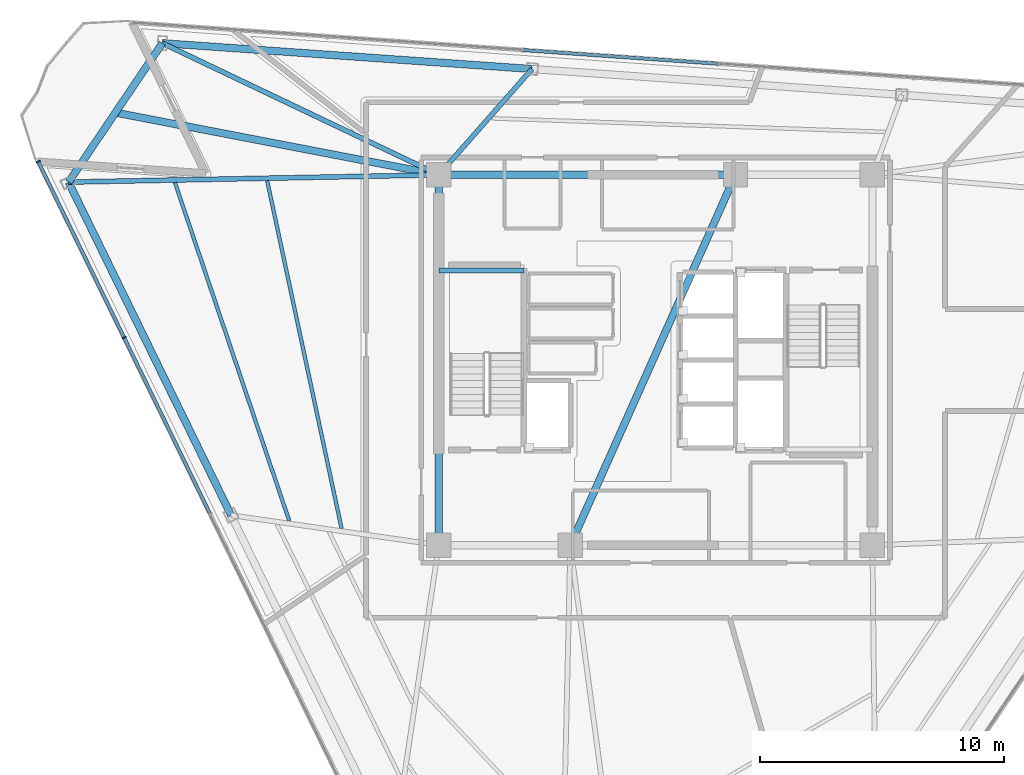
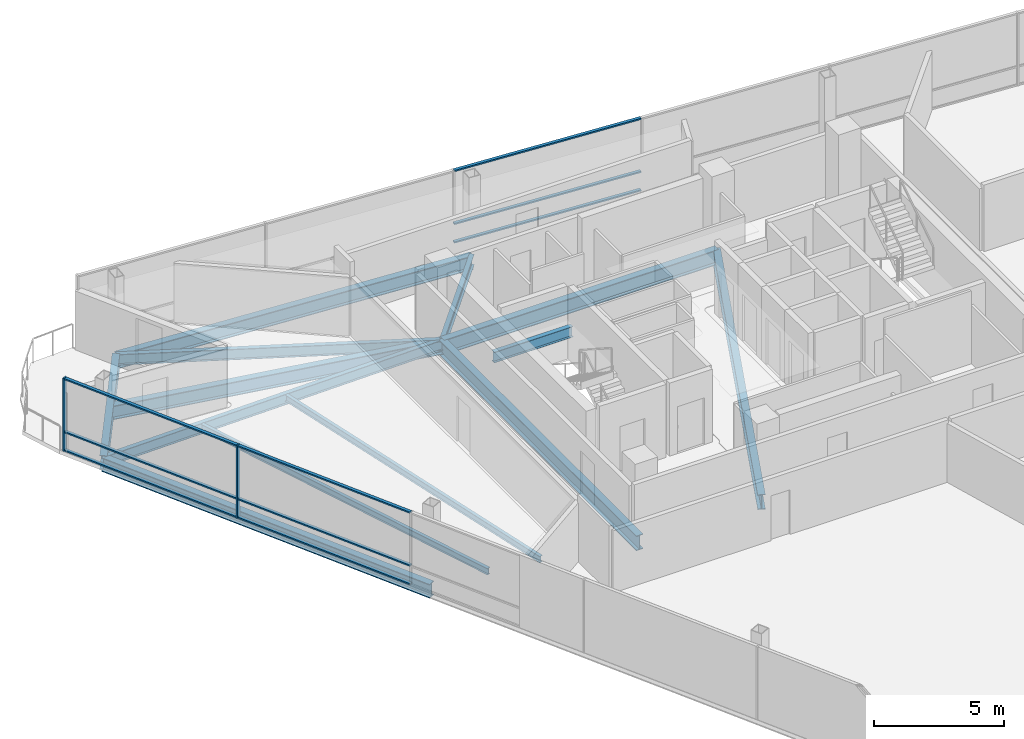
# One storey, part 5 of 14: 13 beams, 11 members, 2 elements without a shape of their own.
"""IFC4 building model written with IfcOpenShell, lengths in metres."""

from ifc_helpers import new_model, si_unit, direction, frame, origin, origin_2d, place, context, subcontext, project, spatial, rectangle, i_section, extrude, material, layer, layer_set, material_profile, profile_set, type_object, element, aggregate, save


model = new_model("IFC4")

# Units and contexts
model_context = context("Model", 3, precision=1e-05, world=origin(), true_north=direction((0.0, 1.0)))
body_context = subcontext(model_context, "Body", "Model", "MODEL_VIEW")
ifc_project = project(units=[si_unit("LENGTHUNIT", "METRE"), si_unit("AREAUNIT", "SQUARE_METRE"), si_unit("VOLUMEUNIT", "CUBIC_METRE"), si_unit("PLANEANGLEUNIT", "RADIAN"), si_unit("MASSUNIT", "GRAM", prefix="KILO")], contexts=[model_context])

# Site, building, storey
site_placement = place(None, origin())
site = spatial("IfcSite", under=ifc_project, at=site_placement, CompositionType="ELEMENT")
building_placement = place(site_placement, origin())
building = spatial("IfcBuilding", under=site, at=building_placement, Name="Tharavind Bronze Gate", CompositionType="ELEMENT")
storey_placement = place(building_placement, frame((0.0, 0.0, 230.64990234375)))
storey = spatial("IfcBuildingStorey", under=building, at=storey_placement, Name="L59", CompositionType="ELEMENT", Elevation=230.64990234375)

# Curtain wall, members
ifc_material_1 = material(Name="Anodised Bronze Aluminium", Category="aluminium")
ifc_layer = layer(ifc_material_1, 0.219970703125)
ifc_layer_set = layer_set([ifc_layer], Name="Anodised Bronze Aluminium")
curtain_wall_type = type_object("IfcCurtainWallType", Name="UNITISED CURTAIN WALL UPPER OFFICE", PredefinedType="USERDEFINED", material=ifc_layer_set)
curtain_wall_1_placement = place(storey_placement, origin())
curtain_wall_1 = element("IfcCurtainWall", 1, at=curtain_wall_1_placement, inside=storey, type_object=curtain_wall_type, Name="L59 unitised curtain wall upper office CW-L59-S1", ObjectType="UNITISED CURTAIN WALL", PredefinedType="USERDEFINED")
member_type_1 = type_object("IfcMemberType", Name="CURTAIN WALL BRONZE MULLION 65X180", PredefinedType="MULLION", material=ifc_material_1)
member_1_placement = place(storey_placement, frame((-25.337158203125, 8.140625, 0.000244140625), z_axis=(0.0, 0.0, 1.0), x_axis=(0.438371146789, -0.898794046299, 0.0)))
member_1 = element("IfcMember", 2, at=member_1_placement, type_object=member_type_1, Name="CW-L59-S1 mullion 1", PredefinedType="MULLION", context=body_context, shape_type="SweptSolid", body=[
    extrude(rectangle(XDim=0.06494140625, YDim=0.179931640625, at=origin_2d()), origin(), (0.0, 0.0, 1.0), 3.419921875),
])
member_2_placement = place(storey_placement, frame((-21.8134765625, 0.916259765625, 0.000244140625), z_axis=(0.0, 0.0, 1.0), x_axis=(0.438371146789, -0.898794046299, 0.0)))
member_2 = element("IfcMember", 3, at=member_2_placement, type_object=member_type_1, Name="CW-L59-S1 mullion 2", PredefinedType="MULLION", context=body_context, shape_type="SweptSolid", body=[
    extrude(rectangle(XDim=0.06494140625, YDim=0.179931640625, at=origin_2d()), origin(), (0.0, 0.0, 1.0), 3.419921875),
])
member_type_2 = type_object("IfcMemberType", Name="CURTAIN WALL BRONZE TRANSOM 65X140", PredefinedType="USERDEFINED", material=ifc_material_1)
member_3_placement = place(storey_placement, frame((-23.5751953125, 4.5283203125, 0.000244140625), z_axis=(0.0, 0.0, 1.0), x_axis=(0.438371146789, -0.898794046299, 0.0)))
member_3 = element("IfcMember", 4, at=member_3_placement, type_object=member_type_2, Name="CW-L59-S1 transom TB1", ObjectType="TRANSOM", PredefinedType="USERDEFINED", context=body_context, shape_type="SweptSolid", body=[
    extrude(rectangle(XDim=7.985107421875, YDim=0.139892578125, at=origin_2d()), origin(), (0.0, 0.0, 1.0), 0.06494140625),
])
member_4_placement = place(storey_placement, frame((-23.5751953125, 4.5283203125, 0.86767578125), z_axis=(0.0, 0.0, 1.0), x_axis=(0.438371146789, -0.898794046299, 0.0)))
member_4 = element("IfcMember", 5, at=member_4_placement, type_object=member_type_2, Name="CW-L59-S1 transom TS1", ObjectType="TRANSOM", PredefinedType="USERDEFINED", context=body_context, shape_type="SweptSolid", body=[
    extrude(rectangle(XDim=7.985107421875, YDim=0.139892578125, at=origin_2d()), origin(), (0.0, 0.0, 1.0), 0.06494140625),
])
member_5_placement = place(storey_placement, frame((-23.5751953125, 4.5283203125, 3.355224609375), z_axis=(0.0, 0.0, 1.0), x_axis=(0.438371146789, -0.898794046299, 0.0)))
member_5 = element("IfcMember", 6, at=member_5_placement, type_object=member_type_2, Name="CW-L59-S1 transom TT1", ObjectType="TRANSOM", PredefinedType="USERDEFINED", context=body_context, shape_type="SweptSolid", body=[
    extrude(rectangle(XDim=7.985107421875, YDim=0.139892578125, at=origin_2d()), origin(), (0.0, 0.0, 1.0), 0.06494140625),
])
member_6_placement = place(storey_placement, frame((-20.051513671875, -2.696044921875, 0.000244140625), z_axis=(0.0, 0.0, 1.0), x_axis=(0.438371146789, -0.898794046299, 0.0)))
member_6 = element("IfcMember", 7, at=member_6_placement, type_object=member_type_2, Name="CW-L59-S1 transom TB2", ObjectType="TRANSOM", PredefinedType="USERDEFINED", context=body_context, shape_type="SweptSolid", body=[
    extrude(rectangle(XDim=7.985107421875, YDim=0.139892578125, at=origin_2d()), origin(), (0.0, 0.0, 1.0), 0.06494140625),
])
member_7_placement = place(storey_placement, frame((-20.051513671875, -2.696044921875, 0.86767578125), z_axis=(0.0, 0.0, 1.0), x_axis=(0.438371146789, -0.898794046299, 0.0)))
member_7 = element("IfcMember", 8, at=member_7_placement, type_object=member_type_2, Name="CW-L59-S1 transom TS2", ObjectType="TRANSOM", PredefinedType="USERDEFINED", context=body_context, shape_type="SweptSolid", body=[
    extrude(rectangle(XDim=7.985107421875, YDim=0.139892578125, at=origin_2d()), origin(), (0.0, 0.0, 1.0), 0.06494140625),
])
member_8_placement = place(storey_placement, frame((-20.051513671875, -2.696044921875, 3.355224609375), z_axis=(0.0, 0.0, 1.0), x_axis=(0.438371146789, -0.898794046299, 0.0)))
member_8 = element("IfcMember", 9, at=member_8_placement, type_object=member_type_2, Name="CW-L59-S1 transom TT2", ObjectType="TRANSOM", PredefinedType="USERDEFINED", context=body_context, shape_type="SweptSolid", body=[
    extrude(rectangle(XDim=7.985107421875, YDim=0.139892578125, at=origin_2d()), origin(), (0.0, 0.0, 1.0), 0.06494140625),
])
aggregate(curtain_wall_1, [member_1, member_2, member_3, member_4, member_5, member_6, member_7, member_8])

curtain_wall_2_placement = place(storey_placement, origin())
curtain_wall_2 = element("IfcCurtainWall", 10, at=curtain_wall_2_placement, inside=storey, type_object=curtain_wall_type, Name="L59 unitised curtain wall upper office CW-L59-S3", ObjectType="UNITISED CURTAIN WALL", PredefinedType="USERDEFINED")
member_9_placement = place(storey_placement, frame((-1.44384765625, 12.442626953125, 0.000244140625), z_axis=(0.0, 0.0, 1.0), x_axis=(-0.99756392851, 0.069758214822, 0.0)))
member_9 = element("IfcMember", 11, at=member_9_placement, type_object=member_type_2, Name="CW-L59-S3 transom TB4", ObjectType="TRANSOM", PredefinedType="USERDEFINED", context=body_context, shape_type="SweptSolid", body=[
    extrude(rectangle(XDim=7.985107421875, YDim=0.139892578125, at=origin_2d()), origin(), (0.0, 0.0, 1.0), 0.06494140625),
])
member_10_placement = place(storey_placement, frame((-1.44384765625, 12.442626953125, 0.86767578125), z_axis=(0.0, 0.0, 1.0), x_axis=(-0.99756392851, 0.069758214822, 0.0)))
member_10 = element("IfcMember", 12, at=member_10_placement, type_object=member_type_2, Name="CW-L59-S3 transom TS4", ObjectType="TRANSOM", PredefinedType="USERDEFINED", context=body_context, shape_type="SweptSolid", body=[
    extrude(rectangle(XDim=7.985107421875, YDim=0.139892578125, at=origin_2d()), origin(), (0.0, 0.0, 1.0), 0.06494140625),
])
member_11_placement = place(storey_placement, frame((-1.44384765625, 12.442626953125, 3.355224609375), z_axis=(0.0, 0.0, 1.0), x_axis=(-0.99756392851, 0.069758214822, 0.0)))
member_11 = element("IfcMember", 13, at=member_11_placement, type_object=member_type_2, Name="CW-L59-S3 transom TT4", ObjectType="TRANSOM", PredefinedType="USERDEFINED", context=body_context, shape_type="SweptSolid", body=[
    extrude(rectangle(XDim=7.985107421875, YDim=0.139892578125, at=origin_2d()), origin(), (0.0, 0.0, 1.0), 0.06494140625),
])
aggregate(curtain_wall_2, [member_9, member_10, member_11])

# Beams
ifc_material_2 = material(Name="Steel S355", Category="steel")
ifc_material_profile_1 = material_profile(ifc_material_2, i_section(OverallWidth=0.300048828125, OverallDepth=0.64990234375, WebThickness=0.01611328125, FlangeThickness=0.031005859375, at=origin_2d()), Name="HE650B")
ifc_profile_set_1 = profile_set([ifc_material_profile_1], Name="Steel S355")
beam_type_1 = type_object("IfcBeamType", Name="PRIMARY GIRDER HE650B", PredefinedType="USERDEFINED", material=ifc_profile_set_1)
for number, where, z_axis, x_axis, name in (
    (14, (-24.093505859375, 7.302001953125, -0.5048828125), (0.438370186885, -0.898794514475, 0.0), (0.898794514475, 0.438370186885, 0.0), "L59 primary girder he650b BM-L59-PRG01"),
    (15, (-5.0732421875, 11.944580078125, -0.5048828125), (-0.997563917828, 0.069758367582, 0.0), (-0.069758367582, -0.997563917828, 0.0), "L59 primary girder he650b BM-L59-PRG11"),
):
    element("IfcBeam", number, at=place(storey_placement, frame(where, z_axis=z_axis, x_axis=x_axis)), inside=storey, type_object=beam_type_1, Name=name, ObjectType="GIRDER", PredefinedType="USERDEFINED", context=body_context, shape_type="SweptSolid", body=[
        extrude(i_section(OverallWidth=0.300048828125, OverallDepth=0.64990234375, WebThickness=0.01611328125, FlangeThickness=0.031005859375, at=origin_2d()), origin(), (0.0, 0.0, 1.0), 15.210205078125),
    ])
beam_1_placement = place(storey_placement, frame((-20.246337890625, 13.005615234375, -0.5048828125), z_axis=(-0.559196123664, -0.829035400498, 0.0), x_axis=(0.829035400498, -0.559196123664, 0.0)))
element("IfcBeam", 16, at=beam_1_placement, inside=storey, type_object=beam_type_1, Name="L59 primary girder he650b BM-L59-PRG12", ObjectType="GIRDER", PredefinedType="USERDEFINED", context=body_context, shape_type="SweptSolid", body=[
    extrude(i_section(OverallWidth=0.300048828125, OverallDepth=0.64990234375, WebThickness=0.01611328125, FlangeThickness=0.031005859375, at=origin_2d()), origin(), (0.0, 0.0, 1.0), 6.8798828125),
])
beam_2_placement = place(storey_placement, frame((-8.89990234375, 7.60009765625, -0.5048828125), z_axis=(-0.981981954997, 0.18897470746, 0.0), x_axis=(-0.18897470746, -0.981981954997, 0.0)))
element("IfcBeam", 17, at=beam_2_placement, inside=storey, type_object=beam_type_1, Name="L59 primary girder he650b BM-L59-BLCSB", ObjectType="GIRDER", PredefinedType="USERDEFINED", context=body_context, shape_type="SweptSolid", body=[
    extrude(i_section(OverallWidth=0.300048828125, OverallDepth=0.64990234375, WebThickness=0.01611328125, FlangeThickness=0.031005859375, at=origin_2d()), origin(), (0.0, 0.0, 1.0), 13.513427734375),
])
ifc_material_profile_2 = material_profile(ifc_material_2, i_section(OverallWidth=0.199951171875, OverallDepth=0.5, WebThickness=0.01025390625, FlangeThickness=0.01611328125, at=origin_2d()), Name="IPE500")
ifc_profile_set_2 = profile_set([ifc_material_profile_2], Name="Steel S355")
beam_type_2 = type_object("IfcBeamType", Name="PRIMARY GIRDER IPE500", PredefinedType="USERDEFINED", material=ifc_profile_set_2)
beam_3_placement = place(storey_placement, frame((-8.89990234375, 3.679931640625, 1.35009765625), z_axis=(1.0, 0.0, 0.0), x_axis=(0.0, 1.0, 0.0)))
element("IfcBeam", 18, at=beam_3_placement, inside=storey, type_object=beam_type_2, Name="L59 primary girder ipe500 BM-LD-ST1-L59-1", ObjectType="GIRDER", PredefinedType="USERDEFINED", context=body_context, shape_type="SweptSolid", body=[
    extrude(i_section(OverallWidth=0.199951171875, OverallDepth=0.5, WebThickness=0.01025390625, FlangeThickness=0.01611328125, at=origin_2d()), origin(), (0.0, 0.0, 1.0), 3.5),
])
beam_4_placement = place(storey_placement, frame((-24.093505859375, 7.302001953125, -0.429931640625), z_axis=(0.999807586961, 0.019616040745, 0.0), x_axis=(-0.019616040745, 0.999807586961, 0.0)))
element("IfcBeam", 19, at=beam_4_placement, inside=storey, type_object=beam_type_2, Name="L59 primary girder ipe500 BM-L59-RAD01", ObjectType="GIRDER", PredefinedType="USERDEFINED", context=body_context, shape_type="SweptSolid", body=[
    extrude(i_section(OverallWidth=0.199951171875, OverallDepth=0.5, WebThickness=0.01025390625, FlangeThickness=0.01611328125, at=origin_2d()), origin(), (0.0, 0.0, 1.0), 15.196533203125),
])
beam_5_placement = place(storey_placement, frame((-5.0732421875, 11.944580078125, -0.429931640625), z_axis=(-0.660970052171, -0.750412280106, 0.0), x_axis=(0.750412280106, -0.660970052171, 0.0)))
element("IfcBeam", 20, at=beam_5_placement, inside=storey, type_object=beam_type_2, Name="L59 primary girder ipe500 BM-L59-RAD11", ObjectType="GIRDER", PredefinedType="USERDEFINED", context=body_context, shape_type="SweptSolid", body=[
    extrude(i_section(OverallWidth=0.199951171875, OverallDepth=0.5, WebThickness=0.01025390625, FlangeThickness=0.01611328125, at=origin_2d()), origin(), (0.0, 0.0, 1.0), 5.78955078125),
])
beam_6_placement = place(storey_placement, frame((-20.246337890625, 13.005615234375, -0.429931640625), z_axis=(0.902784743055, -0.430092673394, 0.0), x_axis=(0.430092673394, 0.902784743055, 0.0)))
element("IfcBeam", 21, at=beam_6_placement, inside=storey, type_object=beam_type_2, Name="L59 primary girder ipe500 BM-L59-RAD12", ObjectType="GIRDER", PredefinedType="USERDEFINED", context=body_context, shape_type="SweptSolid", body=[
    extrude(i_section(OverallWidth=0.199951171875, OverallDepth=0.5, WebThickness=0.01025390625, FlangeThickness=0.01611328125, at=origin_2d()), origin(), (0.0, 0.0, 1.0), 12.568359375),
])
ifc_material_profile_3 = material_profile(ifc_material_2, i_section(OverallWidth=0.300048828125, OverallDepth=0.699951171875, WebThickness=0.01708984375, FlangeThickness=0.031982421875, at=origin_2d()), Name="HE700B")
ifc_profile_set_3 = profile_set([ifc_material_profile_3], Name="Steel S355")
beam_type_3 = type_object("IfcBeamType", Name="RING GIRDER HE700B", PredefinedType="USERDEFINED", material=ifc_profile_set_3)
beam_7_placement = place(storey_placement, frame((3.280029296875, 7.60009765625, -0.52978515625), z_axis=(-1.0, 0.0, 0.0), x_axis=(0.0, -1.0, 0.0)))
element("IfcBeam", 22, at=beam_7_placement, inside=storey, type_object=beam_type_3, Name="L59 ring girder he700b BM-L59-CR5", ObjectType="GIRDER", PredefinedType="USERDEFINED", context=body_context, shape_type="SweptSolid", body=[
    extrude(i_section(OverallWidth=0.300048828125, OverallDepth=0.699951171875, WebThickness=0.01708984375, FlangeThickness=0.031982421875, at=origin_2d()), origin(), (0.0, 0.0, 1.0), 12.179931640625),
])
beam_8_placement = place(storey_placement, frame((-8.89990234375, 7.60009765625, -0.52978515625), z_axis=(0.0, -1.0, 0.0), x_axis=(1.0, 0.0, 0.0)))
element("IfcBeam", 23, at=beam_8_placement, inside=storey, type_object=beam_type_3, Name="L59 ring girder he700b BM-L59-CR6", ObjectType="GIRDER", PredefinedType="USERDEFINED", context=body_context, shape_type="SweptSolid", body=[
    extrude(i_section(OverallWidth=0.300048828125, OverallDepth=0.699951171875, WebThickness=0.01708984375, FlangeThickness=0.031982421875, at=origin_2d()), origin(), (0.0, 0.0, 1.0), 15.2001953125),
])
beam_9_placement = place(storey_placement, frame((-3.5, -7.60009765625, -0.52978515625), z_axis=(0.407361644566, 0.913266932795, 0.0), x_axis=(-0.913266932795, 0.407361644566, 0.0)))
element("IfcBeam", 24, at=beam_9_placement, inside=storey, type_object=beam_type_3, Name="L59 ring girder he700b BM-L59-CR7", ObjectType="GIRDER", PredefinedType="USERDEFINED", context=body_context, shape_type="SweptSolid", body=[
    extrude(i_section(OverallWidth=0.300048828125, OverallDepth=0.699951171875, WebThickness=0.01708984375, FlangeThickness=0.031982421875, at=origin_2d()), origin(), (0.0, 0.0, 1.0), 16.643798828125),
])
ifc_material_profile_4 = material_profile(ifc_material_2, i_section(OverallWidth=0.14990234375, OverallDepth=0.300048828125, WebThickness=0.007080078125, FlangeThickness=0.0107421875, at=origin_2d()), Name="IPE300")
ifc_profile_set_4 = profile_set([ifc_material_profile_4], Name="Steel S355")
beam_type_4 = type_object("IfcBeamType", Name="SECONDARY FLOOR JOIST IPE300", PredefinedType="JOIST", material=ifc_profile_set_4)
beam_10_placement = place(storey_placement, frame((-15.94287109375, 7.35791015625, -0.329833984375), z_axis=(0.209253867675, -0.977861349509, 0.0), x_axis=(0.977861349509, 0.209253867675, 0.0)))
element("IfcBeam", 25, at=beam_10_placement, inside=storey, type_object=beam_type_4, Name="L59 secondary floor joist ipe300 BM-L59-JSTA01", PredefinedType="JOIST", context=body_context, shape_type="SweptSolid", body=[
    extrude(i_section(OverallWidth=0.14990234375, OverallDepth=0.300048828125, WebThickness=0.007080078125, FlangeThickness=0.0107421875, at=origin_2d()), origin(), (0.0, 0.0, 1.0), 14.600341796875),
])
beam_11_placement = place(storey_placement, frame((-19.728515625, 7.28369140625, -0.329833984375), z_axis=(0.320165511118, -0.9473616234, 0.0), x_axis=(0.9473616234, 0.320165511118, 0.0)))
element("IfcBeam", 26, at=beam_11_placement, inside=storey, type_object=beam_type_4, Name="L59 secondary floor joist ipe300 BM-L59-JSTB01", PredefinedType="JOIST", context=body_context, shape_type="SweptSolid", body=[
    extrude(i_section(OverallWidth=0.14990234375, OverallDepth=0.300048828125, WebThickness=0.007080078125, FlangeThickness=0.0107421875, at=origin_2d()), origin(), (0.0, 0.0, 1.0), 14.665283203125),
])

save(model, "model.ifc")
